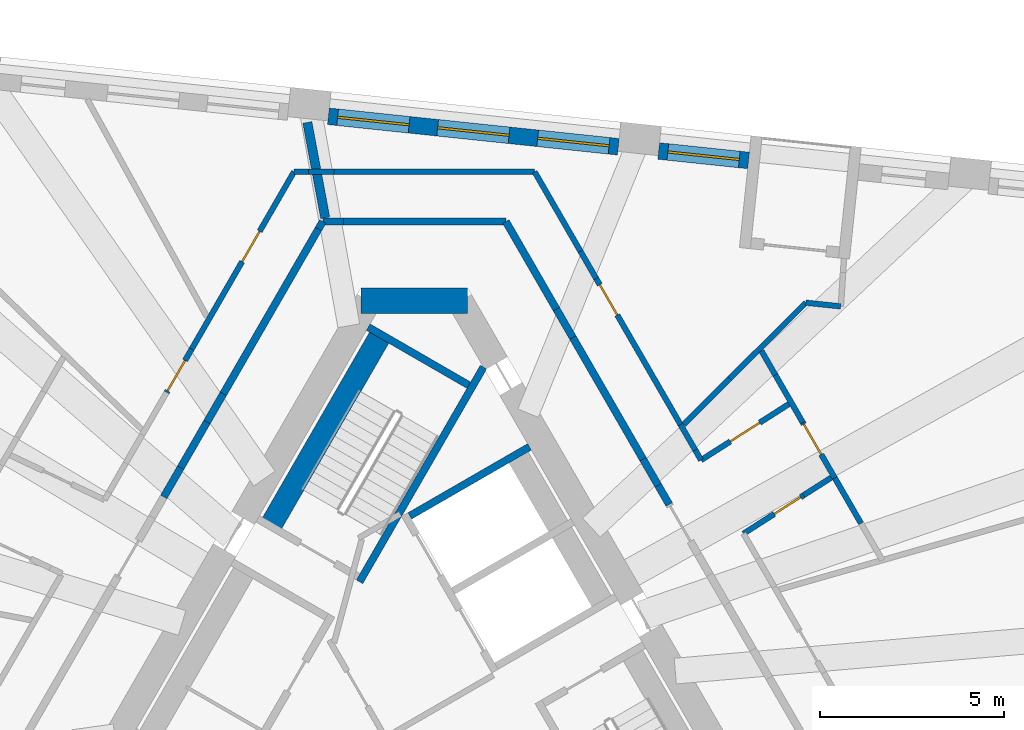
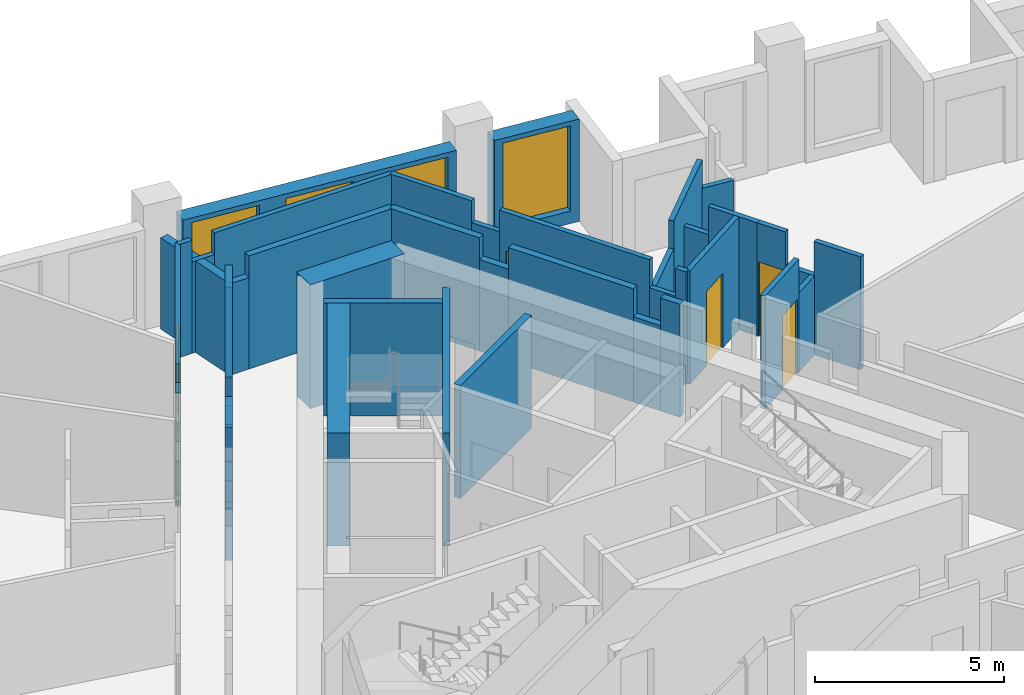
# One storey, part 7 of 11: 40 walls, 6 doors, 4 windows, 10 openings.
"""IFC4 building model written with IfcOpenShell, lengths in metres."""

from ifc_helpers import new_model, si_unit, direction, frame, frame_2d, origin, place, context, subcontext, project, spatial, polyline, rectangle, outline, extrude, material, layer, layer_set, type_object, element, fill, save


model = new_model("IFC4")

# Units and contexts
model_context = context("Model", 3, precision=1e-05, world=origin(), true_north=direction((0.0, 1.0)))
body_context = subcontext(model_context, "Body", "Model", "MODEL_VIEW")
ifc_project = project(units=[si_unit("LENGTHUNIT", "METRE"), si_unit("AREAUNIT", "SQUARE_METRE"), si_unit("VOLUMEUNIT", "CUBIC_METRE"), si_unit("PLANEANGLEUNIT", "RADIAN"), si_unit("MASSUNIT", "GRAM", prefix="KILO")], contexts=[model_context])

# Site, building, storey
site_placement = place(None, origin())
site = spatial("IfcSite", under=ifc_project, at=site_placement, CompositionType="ELEMENT")
building_placement = place(site_placement, origin())
building = spatial("IfcBuilding", under=site, at=building_placement, Name="Tramontana Tower", CompositionType="ELEMENT")
storey_placement = place(building_placement, frame((0.0, 0.0, 253.199951171875)))
storey = spatial("IfcBuildingStorey", under=building, at=storey_placement, Name="L59", CompositionType="ELEMENT", Elevation=253.199951171875)

# Walls
ifc_material_1 = material(Name="Concrete 70 MPa", Category="concrete")
ifc_layer_1 = layer(ifc_material_1, 0.699951171875)
ifc_layer_set_1 = layer_set([ifc_layer_1], Name="Core wall 700 70 MPa")
wall_type_1 = type_object("IfcWallType", Name="Core wall 700 70 MPa", PredefinedType="SHEAR", material=ifc_layer_set_1)
wall_1_placement = place(storey_placement, frame((1.443359375, 10.64990234375, 0.0), z_axis=(0.0, 0.0, 1.0), x_axis=(-1.0, 0.0, 0.0)))
element("IfcWall", 1, at=wall_1_placement, inside=storey, type_object=wall_type_1, Name="Core wall C0 L59", PredefinedType="SHEAR", context=body_context, shape_type="SweptSolid", body=[
    extrude(rectangle(XDim=2.88671875, YDim=0.699951171875, at=frame_2d((1.443359375, 0.0))), origin(), (0.0, 0.0, 1.0), 4.0),
])
ifc_material_2 = material(Name="Blockwork", Category="masonry")
ifc_layer_2 = layer(ifc_material_2, 0.199951171875)
ifc_layer_set_2 = layer_set([ifc_layer_2], Name="ENTRY WALL 200")
wall_type_2 = type_object("IfcWallType", Name="ENTRY WALL 200", PredefinedType="SOLIDWALL", material=ifc_layer_set_2)
wall_2_placement = place(storey_placement, frame((-6.79541015625, 5.329833984375, 0.0), z_axis=(0.0, 0.0, 1.0), x_axis=(0.499975954304, 0.866039286129, 0.0)))
element("IfcWall", 2, at=wall_2_placement, inside=storey, type_object=wall_type_2, Name="Wall v61-ew3-7", PredefinedType="SOLIDWALL", context=body_context, shape_type="SweptSolid", body=[
    extrude(rectangle(XDim=0.9169921875, YDim=0.199951171875, at=frame_2d((0.45849609375, 0.0))), origin(), (0.0, 0.0, 1.0), 2.550048828125),
])
wall_3_placement = place(storey_placement, frame((-6.3369140625, 6.1240234375, 0.0), z_axis=(0.0, 0.0, 1.0), x_axis=(0.499904796234, 0.866080362727, 0.0)))
element("IfcWall", 3, at=wall_3_placement, inside=storey, type_object=wall_type_2, Name="Wall v61-ew3-8", PredefinedType="SOLIDWALL", context=body_context, shape_type="SweptSolid", body=[
    extrude(rectangle(XDim=1.429443359375, YDim=0.199951171875, at=frame_2d((0.71484375, 0.0))), origin(), (0.0, 0.0, 1.0), 3.650146484375),
])
wall_4_placement = place(storey_placement, frame((-5.622314453125, 7.362060546875, 0.0), z_axis=(0.0, 0.0, 1.0), x_axis=(0.500121072013, 0.86595549154, 0.0)))
element("IfcWall", 4, at=wall_4_placement, inside=storey, type_object=wall_type_2, Name="Wall v61-ew3-9", PredefinedType="SOLIDWALL", context=body_context, shape_type="SweptSolid", body=[
    extrude(rectangle(XDim=0.883544921875, YDim=0.199951171875, at=frame_2d((0.44189453125, 0.0))), origin(), (0.0, 0.0, 1.0), 2.75),
])
wall_5_placement = place(storey_placement, frame((-5.180419921875, 8.127197265625, 0.0), z_axis=(0.0, 0.0, 1.0), x_axis=(0.499995433041, 0.866028040503, 0.0)))
element("IfcWall", 5, at=wall_5_placement, inside=storey, type_object=wall_type_2, Name="Wall v61-ew3-10", PredefinedType="SOLIDWALL", context=body_context, shape_type="SweptSolid", body=[
    extrude(rectangle(XDim=5.1611328125, YDim=0.199951171875, at=frame_2d((2.58056640625, 0.0))), origin(), (0.0, 0.0, 1.0), 3.650146484375),
])
wall_6_placement = place(storey_placement, frame((-2.599853515625, 12.596923828125, 0.0), z_axis=(0.0, 0.0, 1.0), x_axis=(0.49972245349, 0.866185586049, 0.0)))
element("IfcWall", 6, at=wall_6_placement, inside=storey, type_object=wall_type_2, Name="Wall v61-ew3-11", PredefinedType="SOLIDWALL", context=body_context, shape_type="SweptSolid", body=[
    extrude(rectangle(XDim=0.234619140625, YDim=0.199951171875, at=frame_2d((0.1171875, 0.0))), origin(), (0.0, 0.0, 1.0), 2.949951171875),
])
wall_7_placement = place(storey_placement, frame((-2.482666015625, 12.800048828125, 0.0), z_axis=(0.0, 0.0, 1.0), x_axis=(1.0, 0.0, 0.0)))
element("IfcWall", 7, at=wall_7_placement, inside=storey, type_object=wall_type_2, Name="Wall v61-ew4-0", PredefinedType="SOLIDWALL", context=body_context, shape_type="SweptSolid", body=[
    extrude(rectangle(XDim=0.5576171875, YDim=0.199951171875, at=frame_2d((0.27880859375, 0.0))), origin(), (0.0, 0.0, 1.0), 2.949951171875),
])
wall_8_placement = place(storey_placement, frame((-1.925048828125, 12.800048828125, 0.0), z_axis=(0.0, 0.0, 1.0), x_axis=(1.0, 0.0, 0.0)))
element("IfcWall", 8, at=wall_8_placement, inside=storey, type_object=wall_type_2, Name="Wall v61-ew4-1", PredefinedType="SOLIDWALL", context=body_context, shape_type="SweptSolid", body=[
    extrude(rectangle(XDim=4.40771484375, YDim=0.199951171875, at=frame_2d((2.203857421875, 0.0))), origin(), (0.0, 0.0, 1.0), 3.650146484375),
])
wall_9_placement = place(storey_placement, frame((2.482666015625, 12.800048828125, 0.0), z_axis=(0.0, 0.0, 1.0), x_axis=(0.499956000529, -0.8660508054, 0.0)))
element("IfcWall", 9, at=wall_9_placement, inside=storey, type_object=wall_type_2, Name="Wall v61-ew5-0", PredefinedType="SOLIDWALL", context=body_context, shape_type="SweptSolid", body=[
    extrude(rectangle(XDim=2.744873046875, YDim=0.199951171875, at=frame_2d((1.37255859375, 0.0))), origin(), (0.0, 0.0, 1.0), 3.650146484375),
])
wall_10_placement = place(storey_placement, frame((3.85498046875, 10.4228515625, 0.0), z_axis=(0.0, 0.0, 1.0), x_axis=(0.500135429527, -0.86594719939, 0.0)))
element("IfcWall", 10, at=wall_10_placement, inside=storey, type_object=wall_type_2, Name="Wall v61-ew5-1", PredefinedType="SOLIDWALL", context=body_context, shape_type="SweptSolid", body=[
    extrude(rectangle(XDim=0.886962890625, YDim=0.199951171875, at=frame_2d((0.443359375, 0.0))), origin(), (0.0, 0.0, 1.0), 2.949951171875),
])
wall_11_placement = place(storey_placement, frame((4.298583984375, 9.65478515625, 0.0), z_axis=(0.0, 0.0, 1.0), x_axis=(0.499997905474, -0.866026613056, 0.0)))
element("IfcWall", 11, at=wall_11_placement, inside=storey, type_object=wall_type_2, Name="Wall v61-ew5-2", PredefinedType="SOLIDWALL", context=body_context, shape_type="SweptSolid", body=[
    extrude(rectangle(XDim=3.810546875, YDim=0.199951171875, at=frame_2d((1.9052734375, 0.0))), origin(), (0.0, 0.0, 1.0), 3.650146484375),
])
wall_12_placement = place(storey_placement, frame((6.203857421875, 6.354736328125, 0.0), z_axis=(0.0, 0.0, 1.0), x_axis=(0.499911126926, -0.866076708598, 0.0)))
element("IfcWall", 12, at=wall_12_placement, inside=storey, type_object=wall_type_2, Name="Wall v61-ew5-3", PredefinedType="SOLIDWALL", context=body_context, shape_type="SweptSolid", body=[
    extrude(rectangle(XDim=0.821533203125, YDim=0.199951171875, at=frame_2d((0.41064453125, 0.0))), origin(), (0.0, 0.0, 1.0), 2.75),
])
wall_13_placement = place(storey_placement, frame((6.614501953125, 5.643310546875, 0.0), z_axis=(0.0, 0.0, 1.0), x_axis=(0.500169019818, -0.865927798153, 0.0)))
element("IfcWall", 13, at=wall_13_placement, inside=storey, type_object=wall_type_2, Name="Wall v61-ew5-4", PredefinedType="SOLIDWALL", context=body_context, shape_type="SweptSolid", body=[
    extrude(rectangle(XDim=0.599365234375, YDim=0.199951171875, at=frame_2d((0.2998046875, 0.0))), origin(), (0.0, 0.0, 1.0), 3.650146484375),
])

# Wall, opening, window
ifc_material_3 = material(Name="Precast concrete 60 MPa", Category="concrete")
ifc_layer_3 = layer(ifc_material_3, 0.449951171875)
ifc_layer_set_3 = layer_set([ifc_layer_3], Name="Precast concrete 60 MPa, 450 mm")
wall_type_3 = type_object("IfcWallType", Name="EW1 Stone-faced precast wall 450", PredefinedType="SOLIDWALL", material=ifc_layer_set_3)
wall_14_placement = place(storey_placement, frame((9.06640625, 14.45654296875, 0.0), z_axis=(0.0, 0.0, 1.0), x_axis=(-0.994521805438, 0.10452931889, 0.0)))
wall_14 = element("IfcWall", 14, at=wall_14_placement, inside=storey, type_object=wall_type_3, Name="External wall L59 face 2 bay 2", PredefinedType="SOLIDWALL", context=body_context, shape_type="SweptSolid", body=[
    extrude(rectangle(XDim=2.452392578125, YDim=0.449951171875, at=frame_2d((1.22607421875, 0.0))), origin(), (0.0, 0.0, 1.0), 3.300048828125),
])
opening_1_placement = place(wall_14_placement, frame((0.251220703125, 0.0, 0.39990234375)))
opening_1 = element("IfcOpeningElement", 15, at=opening_1_placement, cuts=wall_14, Name="Opening M3", PredefinedType="OPENING", context=body_context, shape_type="SweptSolid", body=[
    extrude(rectangle(XDim=1.949951171875, YDim=2.75, at=frame_2d((0.97509765625, 1.375))), frame((0.0, 0.23486328125, 0.0), z_axis=(0.0, -1.0, 0.0), x_axis=(1.0, 0.0, 0.0)), (0.0, 0.0, 1.0), 0.469970703125),
])
ifc_material_4 = material(Name="Aluminum frame, double glazing unit", Category="aluminium")
window_type = type_object("IfcWindowType", Name="M3 Window 1.95 x 2.75", PartitioningType="SINGLE_PANEL", PredefinedType="WINDOW", material=ifc_material_4)
window_1_placement = place(opening_1_placement, origin())
window_1 = element("IfcWindow", 16, at=window_1_placement, inside=storey, type_object=window_type, Name="Window M3 L59 face 2 module 6", OverallHeight=2.75, OverallWidth=1.949951171875, PartitioningType="SINGLE_PANEL", PredefinedType="WINDOW", context=body_context, shape_type="SweptSolid", body=[
    extrude(rectangle(XDim=1.949951171875, YDim=2.75, at=frame_2d((0.97509765625, 1.375))), frame((0.0, 0.030029296875, 0.0), z_axis=(0.0, -1.0, 0.0), x_axis=(1.0, 0.0, 0.0)), (0.0, 0.0, 1.0), 0.06005859375),
])
fill(opening_1, window_1)

# Wall, openings, windows
wall_15_placement = place(storey_placement, frame((5.53369140625, 14.827880859375, 0.0), z_axis=(0.0, 0.0, 1.0), x_axis=(-0.994522865711, 0.104519230663, 0.0)))
wall_15 = element("IfcWall", 17, at=wall_15_placement, inside=storey, type_object=wall_type_3, Name="External wall L59 face 2 bay 3", PredefinedType="SOLIDWALL", context=body_context, shape_type="SweptSolid", body=[
    extrude(rectangle(XDim=7.90673828125, YDim=0.449951171875, at=frame_2d((3.953369140625, 0.0))), origin(), (0.0, 0.0, 1.0), 3.300048828125),
])
opening_2_placement = place(wall_15_placement, frame((0.251220703125, 0.0, 0.39990234375)))
opening_2 = element("IfcOpeningElement", 18, at=opening_2_placement, cuts=wall_15, Name="Opening M3", PredefinedType="OPENING", context=body_context, shape_type="SweptSolid", body=[
    extrude(rectangle(XDim=1.949951171875, YDim=2.75, at=frame_2d((0.97509765625, 1.375))), frame((0.0, 0.23486328125, 0.0), z_axis=(0.0, -1.0, 0.0), x_axis=(1.0, 0.0, 0.0)), (0.0, 0.0, 1.0), 0.469970703125),
])
opening_3_placement = place(wall_15_placement, frame((2.978271484375, 0.0, 0.39990234375)))
opening_3 = element("IfcOpeningElement", 19, at=opening_3_placement, cuts=wall_15, Name="Opening M3", PredefinedType="OPENING", context=body_context, shape_type="SweptSolid", body=[
    extrude(rectangle(XDim=1.949951171875, YDim=2.75, at=frame_2d((0.97509765625, 1.375))), frame((0.0, 0.23486328125, 0.0), z_axis=(0.0, -1.0, 0.0), x_axis=(1.0, 0.0, 0.0)), (0.0, 0.0, 1.0), 0.469970703125),
])
opening_4_placement = place(wall_15_placement, frame((5.70556640625, 0.0, 0.39990234375)))
opening_4 = element("IfcOpeningElement", 20, at=opening_4_placement, cuts=wall_15, Name="Opening M3", PredefinedType="OPENING", context=body_context, shape_type="SweptSolid", body=[
    extrude(rectangle(XDim=1.949951171875, YDim=2.75, at=frame_2d((0.97509765625, 1.375))), frame((0.0, 0.23486328125, 0.0), z_axis=(0.0, -1.0, 0.0), x_axis=(1.0, 0.0, 0.0)), (0.0, 0.0, 1.0), 0.469970703125),
])
window_2_placement = place(opening_2_placement, origin())
window_2 = element("IfcWindow", 21, at=window_2_placement, inside=storey, type_object=window_type, Name="Window M3 L59 face 2 module 7", OverallHeight=2.75, OverallWidth=1.949951171875, PartitioningType="SINGLE_PANEL", PredefinedType="WINDOW", context=body_context, shape_type="SweptSolid", body=[
    extrude(rectangle(XDim=1.949951171875, YDim=2.75, at=frame_2d((0.97509765625, 1.375))), frame((0.0, 0.030029296875, 0.0), z_axis=(0.0, -1.0, 0.0), x_axis=(1.0, 0.0, 0.0)), (0.0, 0.0, 1.0), 0.06005859375),
])
fill(opening_2, window_2)
window_3_placement = place(opening_3_placement, origin())
window_3 = element("IfcWindow", 22, at=window_3_placement, inside=storey, type_object=window_type, Name="Window M3 L59 face 2 module 8", OverallHeight=2.75, OverallWidth=1.949951171875, PartitioningType="SINGLE_PANEL", PredefinedType="WINDOW", context=body_context, shape_type="SweptSolid", body=[
    extrude(rectangle(XDim=1.949951171875, YDim=2.75, at=frame_2d((0.97509765625, 1.375))), frame((0.0, 0.030029296875, 0.0), z_axis=(0.0, -1.0, 0.0), x_axis=(1.0, 0.0, 0.0)), (0.0, 0.0, 1.0), 0.06005859375),
])
fill(opening_3, window_3)
window_4_placement = place(opening_4_placement, origin())
window_4 = element("IfcWindow", 23, at=window_4_placement, inside=storey, type_object=window_type, Name="Window M3 L59 face 2 module 9", OverallHeight=2.75, OverallWidth=1.949951171875, PartitioningType="SINGLE_PANEL", PredefinedType="WINDOW", context=body_context, shape_type="SweptSolid", body=[
    extrude(rectangle(XDim=1.949951171875, YDim=2.75, at=frame_2d((0.97509765625, 1.375))), frame((0.0, 0.030029296875, 0.0), z_axis=(0.0, -1.0, 0.0), x_axis=(1.0, 0.0, 0.0)), (0.0, 0.0, 1.0), 0.06005859375),
])
fill(opening_4, window_4)

# Wall, opening, door
ifc_material_5 = material(Name="Gypsum board partition")
ifc_layer_4 = layer(ifc_material_5, 0.14990234375)
ifc_layer_set_4 = layer_set([ifc_layer_4], Name="PARTITION 150")
wall_type_4 = type_object("IfcWallType", Name="PARTITION 150", PredefinedType="PARTITIONING", material=ifc_layer_set_4)
wall_16_placement = place(storey_placement, frame((-6.717041015625, 8.16552734375, 0.0), z_axis=(0.0, 0.0, 1.0), x_axis=(0.499941024108, 0.866059450854, 0.0)))
wall_16 = element("IfcWall", 24, at=wall_16_placement, inside=storey, type_object=wall_type_4, Name="Wall v61-pw09-4", PredefinedType="PARTITIONING", context=body_context, shape_type="SweptSolid", body=[
    extrude(outline(polyline([(0.0, 0.0), (1.353759765625, 0.0), (1.353759765625, 2.75), (0.497802734375, 2.75), (0.497802734375, 3.650146484375), (0.0, 3.650146484375), (0.0, 0.0)])), frame((0.0, 0.074951171875, 0.0), z_axis=(0.0, -1.0, 0.0), x_axis=(1.0, 0.0, 0.0)), (0.0, 0.0, 1.0), 0.14990234375),
])
opening_5_placement = place(wall_16_placement, frame((0.050048828125, 0.0, 0.0)))
opening_5 = element("IfcOpeningElement", 25, at=opening_5_placement, cuts=wall_16, Name="Opening B6B-04", PredefinedType="OPENING", context=body_context, shape_type="SweptSolid", body=[
    extrude(rectangle(XDim=0.949951171875, YDim=2.39990234375, at=frame_2d((0.47509765625, 1.199951171875))), frame((0.0, 0.0849609375, 0.0), z_axis=(0.0, -1.0, 0.0), x_axis=(1.0, 0.0, 0.0)), (0.0, 0.0, 1.0), 0.169921875),
])
ifc_material_6 = material(Name="Painted timber", Category="wood")
door_type_1 = type_object("IfcDoorType", Name="DOOR ROOM 950", OperationType="SINGLE_SWING_LEFT", PredefinedType="DOOR", material=ifc_material_6)
door_1_placement = place(opening_5_placement, origin())
door_1 = element("IfcDoor", 26, at=door_1_placement, inside=storey, type_object=door_type_1, Name="Door B6B-04", OperationType="SINGLE_SWING_RIGHT", OverallHeight=2.39990234375, OverallWidth=0.949951171875, PredefinedType="DOOR", context=body_context, shape_type="SweptSolid", body=[
    extrude(rectangle(XDim=0.949951171875, YDim=2.39990234375, at=frame_2d((0.47509765625, 1.199951171875))), frame((0.0, 0.02490234375, 0.0), z_axis=(0.0, -1.0, 0.0), x_axis=(1.0, 0.0, 0.0)), (0.0, 0.0, 1.0), 0.050048828125),
])
fill(opening_5, door_1)

wall_17_placement = place(storey_placement, frame((-6.040283203125, 9.337890625, 0.0), z_axis=(0.0, 0.0, 1.0), x_axis=(0.500014044516, 0.866017295027, 0.0)))
wall_17 = element("IfcWall", 27, at=wall_17_placement, inside=storey, type_object=wall_type_4, Name="Wall v61-pw09-5", PredefinedType="PARTITIONING", context=body_context, shape_type="SweptSolid", body=[
    extrude(rectangle(XDim=5.556396484375, YDim=0.14990234375, at=frame_2d((2.7783203125, 0.0))), origin(), (0.0, 0.0, 1.0), 3.650146484375),
])
opening_6_placement = place(wall_17_placement, frame((2.7421875, 0.0, 0.0)))
opening_6 = element("IfcOpeningElement", 28, at=opening_6_placement, cuts=wall_17, Name="Opening B6B-05", PredefinedType="OPENING", context=body_context, shape_type="SweptSolid", body=[
    extrude(rectangle(XDim=0.949951171875, YDim=2.39990234375, at=frame_2d((0.47509765625, 1.199951171875))), frame((0.0, 0.0849609375, 0.0), z_axis=(0.0, -1.0, 0.0), x_axis=(1.0, 0.0, 0.0)), (0.0, 0.0, 1.0), 0.169921875),
])
door_2_placement = place(opening_6_placement, origin())
door_2 = element("IfcDoor", 29, at=door_2_placement, inside=storey, type_object=door_type_1, Name="Door B6B-05", OperationType="SINGLE_SWING_LEFT", OverallHeight=2.39990234375, OverallWidth=0.949951171875, PredefinedType="DOOR", context=body_context, shape_type="SweptSolid", body=[
    extrude(rectangle(XDim=0.949951171875, YDim=2.39990234375, at=frame_2d((0.47509765625, 1.199951171875))), frame((0.0, 0.02490234375, 0.0), z_axis=(0.0, -1.0, 0.0), x_axis=(1.0, 0.0, 0.0)), (0.0, 0.0, 1.0), 0.050048828125),
])
fill(opening_6, door_2)

# Walls
wall_18_placement = place(storey_placement, frame((-3.261962890625, 14.14990234375, 0.0), z_axis=(0.0, 0.0, 1.0), x_axis=(1.0, 0.0, 0.0)))
element("IfcWall", 30, at=wall_18_placement, inside=storey, type_object=wall_type_4, Name="Wall v61-pw15-0", PredefinedType="PARTITIONING", context=body_context, shape_type="SweptSolid", body=[
    extrude(rectangle(XDim=0.398193359375, YDim=0.14990234375, at=frame_2d((0.19921875, 0.0))), origin(), (0.0, 0.0, 1.0), 3.650146484375),
])
wall_19_placement = place(storey_placement, frame((-2.86376953125, 14.14990234375, 0.0), z_axis=(0.0, 0.0, 1.0), x_axis=(1.0, 0.0, 0.0)))
element("IfcWall", 31, at=wall_19_placement, inside=storey, type_object=wall_type_4, Name="Wall v61-pw15-1", PredefinedType="PARTITIONING", context=body_context, shape_type="SweptSolid", body=[
    extrude(rectangle(XDim=0.685546875, YDim=0.14990234375, at=frame_2d((0.3427734375, 0.0))), origin(), (0.0, 0.0, 1.0), 2.949951171875),
])
wall_20_placement = place(storey_placement, frame((-2.17822265625, 14.14990234375, 0.0), z_axis=(0.0, 0.0, 1.0), x_axis=(1.0, 0.0, 0.0)))
element("IfcWall", 32, at=wall_20_placement, inside=storey, type_object=wall_type_4, Name="Wall v61-pw15-2", PredefinedType="PARTITIONING", context=body_context, shape_type="SweptSolid", body=[
    extrude(rectangle(XDim=5.440185546875, YDim=0.14990234375, at=frame_2d((2.72021484375, 0.0))), origin(), (0.0, 0.0, 1.0), 3.650146484375),
])
wall_21_placement = place(storey_placement, frame((3.261962890625, 14.14990234375, 0.0), z_axis=(0.0, 0.0, 1.0), x_axis=(0.500042260233, -0.866001003452, 0.0)))
element("IfcWall", 33, at=wall_21_placement, inside=storey, type_object=wall_type_4, Name="Wall v61-pw19-0", PredefinedType="PARTITIONING", context=body_context, shape_type="SweptSolid", body=[
    extrude(rectangle(XDim=2.489013671875, YDim=0.14990234375, at=frame_2d((1.24462890625, 0.0))), origin(), (0.0, 0.0, 1.0), 3.650146484375),
])
wall_22_placement = place(storey_placement, frame((4.506591796875, 11.994384765625, 0.0), z_axis=(0.0, 0.0, 1.0), x_axis=(0.499944768143, -0.866057289563, 0.0)))
element("IfcWall", 34, at=wall_22_placement, inside=storey, type_object=wall_type_4, Name="Wall v61-pw19-1", PredefinedType="PARTITIONING", context=body_context, shape_type="SweptSolid", body=[
    extrude(rectangle(XDim=0.85546875, YDim=0.14990234375, at=frame_2d((0.427734375, 0.0))), origin(), (0.0, 0.0, 1.0), 2.949951171875),
])

# Wall, opening, door
wall_23_placement = place(storey_placement, frame((4.934326171875, 11.25341796875, 0.0), z_axis=(0.0, 0.0, 1.0), x_axis=(0.500001111708, -0.866024761939, 0.0)))
wall_23 = element("IfcWall", 35, at=wall_23_placement, inside=storey, type_object=wall_type_4, Name="Wall v61-pw19-2", PredefinedType="PARTITIONING", context=body_context, shape_type="SweptSolid", body=[
    extrude(rectangle(XDim=4.57568359375, YDim=0.14990234375, at=frame_2d((2.287841796875, 0.0))), origin(), (0.0, 0.0, 1.0), 3.650146484375),
])
opening_7_placement = place(wall_23_placement, frame((0.1923828125, 0.0, 0.0)))
opening_7 = element("IfcOpeningElement", 36, at=opening_7_placement, cuts=wall_23, Name="Opening B6B-19", PredefinedType="OPENING", context=body_context, shape_type="SweptSolid", body=[
    extrude(rectangle(XDim=0.949951171875, YDim=2.39990234375, at=frame_2d((0.47509765625, 1.199951171875))), frame((0.0, 0.0849609375, 0.0), z_axis=(0.0, -1.0, 0.0), x_axis=(1.0, 0.0, 0.0)), (0.0, 0.0, 1.0), 0.169921875),
])
door_3_placement = place(opening_7_placement, origin())
door_3 = element("IfcDoor", 37, at=door_3_placement, inside=storey, type_object=door_type_1, Name="Door B6B-19", OperationType="SINGLE_SWING_LEFT", OverallHeight=2.39990234375, OverallWidth=0.949951171875, PredefinedType="DOOR", context=body_context, shape_type="SweptSolid", body=[
    extrude(rectangle(XDim=0.949951171875, YDim=2.39990234375, at=frame_2d((0.47509765625, 1.199951171875))), frame((0.0, 0.02490234375, 0.0), z_axis=(0.0, -1.0, 0.0), x_axis=(1.0, 0.0, 0.0)), (0.0, 0.0, 1.0), 0.050048828125),
])
fill(opening_7, door_3)

# Walls
wall_24_placement = place(storey_placement, frame((7.22216796875, 7.290771484375, 0.0), z_axis=(0.0, 0.0, 1.0), x_axis=(0.500032254052, -0.866006781098, 0.0)))
element("IfcWall", 38, at=wall_24_placement, inside=storey, type_object=wall_type_4, Name="Wall v61-pw19-3", PredefinedType="PARTITIONING", context=body_context, shape_type="SweptSolid", body=[
    extrude(rectangle(XDim=0.7958984375, YDim=0.14990234375, at=frame_2d((0.39794921875, 0.0))), origin(), (0.0, 0.0, 1.0), 2.75),
])
wall_25_placement = place(storey_placement, frame((7.6201171875, 6.6015625, 0.0), z_axis=(0.0, 0.0, 1.0), x_axis=(0.500303403544, -0.865850162789, 0.0)))
element("IfcWall", 39, at=wall_25_placement, inside=storey, type_object=wall_type_4, Name="Wall v61-pw19-4", PredefinedType="PARTITIONING", context=body_context, shape_type="SweptSolid", body=[
    extrude(rectangle(XDim=0.315185546875, YDim=0.14990234375, at=frame_2d((0.15771484375, 0.0))), origin(), (0.0, 0.0, 1.0), 3.650146484375),
])
wall_26_placement = place(storey_placement, frame((7.307373046875, 7.293212890625, 0.0), z_axis=(0.0, 0.0, 1.0), x_axis=(0.707867966079, 0.706344776011, 0.0)))
element("IfcWall", 40, at=wall_26_placement, inside=storey, type_object=wall_type_4, Name="Wall v61-pw22-0", PredefinedType="PARTITIONING", context=body_context, shape_type="SweptSolid", body=[
    extrude(rectangle(XDim=1.76318359375, YDim=0.14990234375, at=frame_2d((0.881591796875, 0.0))), origin(), (0.0, 0.0, 1.0), 2.75),
])
wall_27_placement = place(storey_placement, frame((8.555419921875, 8.53857421875, 0.0), z_axis=(0.0, 0.0, 1.0), x_axis=(0.707776468702, 0.706436458821, 0.0)))
element("IfcWall", 41, at=wall_27_placement, inside=storey, type_object=wall_type_4, Name="Wall v61-pw22-1", PredefinedType="PARTITIONING", context=body_context, shape_type="SweptSolid", body=[
    extrude(rectangle(XDim=2.9150390625, YDim=0.14990234375, at=frame_2d((1.45751953125, 0.0))), origin(), (0.0, 0.0, 1.0), 3.650146484375),
])

# Wall, opening, door
wall_28_placement = place(storey_placement, frame((7.77783203125, 6.32861328125, 0.0), z_axis=(0.0, 0.0, 1.0), x_axis=(0.842949702155, 0.53799237879, 0.0)))
wall_28 = element("IfcWall", 42, at=wall_28_placement, inside=storey, type_object=wall_type_4, Name="Wall v61-pw23", PredefinedType="PARTITIONING", context=body_context, shape_type="SweptSolid", body=[
    extrude(rectangle(XDim=2.82763671875, YDim=0.14990234375, at=frame_2d((1.413818359375, 0.0))), origin(), (0.0, 0.0, 1.0), 3.650146484375),
])
opening_8_placement = place(wall_28_placement, frame((0.93896484375, 0.0, 0.0)))
opening_8 = element("IfcOpeningElement", 43, at=opening_8_placement, cuts=wall_28, Name="Opening B6B-14", PredefinedType="OPENING", context=body_context, shape_type="SweptSolid", body=[
    extrude(rectangle(XDim=0.949951171875, YDim=2.39990234375, at=frame_2d((0.47509765625, 1.199951171875))), frame((0.0, 0.0849609375, 0.0), z_axis=(0.0, -1.0, 0.0), x_axis=(1.0, 0.0, 0.0)), (0.0, 0.0, 1.0), 0.169921875),
])
door_4_placement = place(opening_8_placement, origin())
door_4 = element("IfcDoor", 44, at=door_4_placement, inside=storey, type_object=door_type_1, Name="Door B6B-14", OperationType="SINGLE_SWING_RIGHT", OverallHeight=2.39990234375, OverallWidth=0.949951171875, PredefinedType="DOOR", context=body_context, shape_type="SweptSolid", body=[
    extrude(rectangle(XDim=0.949951171875, YDim=2.39990234375, at=frame_2d((0.47509765625, 1.199951171875))), frame((0.0, 0.02490234375, 0.0), z_axis=(0.0, -1.0, 0.0), x_axis=(1.0, 0.0, 0.0)), (0.0, 0.0, 1.0), 0.050048828125),
])
fill(opening_8, door_4)

# Walls
wall_29_placement = place(storey_placement, frame((9.415771484375, 9.291259765625, 0.0), z_axis=(0.0, 0.0, 1.0), x_axis=(0.500132351176, -0.865948977311, 0.0)))
element("IfcWall", 45, at=wall_29_placement, inside=storey, type_object=wall_type_4, Name="Wall v61-pw25-0", PredefinedType="PARTITIONING", context=body_context, shape_type="SweptSolid", body=[
    extrude(rectangle(XDim=0.756103515625, YDim=0.14990234375, at=frame_2d((0.3779296875, 0.0))), origin(), (0.0, 0.0, 1.0), 2.75),
])
wall_30_placement = place(storey_placement, frame((9.7939453125, 8.636474609375, 0.0), z_axis=(0.0, 0.0, 1.0), x_axis=(0.500039709243, -0.866002476428, 0.0)))
element("IfcWall", 46, at=wall_30_placement, inside=storey, type_object=wall_type_4, Name="Wall v61-pw25-1", PredefinedType="PARTITIONING", context=body_context, shape_type="SweptSolid", body=[
    extrude(rectangle(XDim=1.48779296875, YDim=0.14990234375, at=frame_2d((0.743896484375, 0.0))), origin(), (0.0, 0.0, 1.0), 3.650146484375),
])

# Wall, opening, door
wall_31_placement = place(storey_placement, frame((10.537841796875, 7.34814453125, 0.0), z_axis=(0.0, 0.0, 1.0), x_axis=(0.499893013529, -0.866087163642, 0.0)))
wall_31 = element("IfcWall", 47, at=wall_31_placement, inside=storey, type_object=wall_type_4, Name="Wall v61-pw25-2", PredefinedType="PARTITIONING", context=body_context, shape_type="SweptSolid", body=[
    extrude(outline(polyline([(0.0, 0.0), (1.73486328125, 0.0), (1.734619140625, 2.550048828125), (0.859619140625, 2.550048828125), (0.859619140625, 3.650146484375), (0.0, 3.650146484375), (0.0, 0.0)])), frame((0.0, 0.074951171875, 0.0), z_axis=(0.0, -1.0, 0.0), x_axis=(1.0, 0.0, 0.0)), (0.0, 0.0, 1.0), 0.14990234375),
])
opening_9_placement = place(wall_31_placement, frame((0.050048828125, 0.0, 0.0)))
opening_9 = element("IfcOpeningElement", 48, at=opening_9_placement, cuts=wall_31, Name="Opening B6B-16", PredefinedType="OPENING", context=body_context, shape_type="SweptSolid", body=[
    extrude(rectangle(XDim=0.949951171875, YDim=2.39990234375, at=frame_2d((0.47509765625, 1.199951171875))), frame((0.0, 0.0849609375, 0.0), z_axis=(0.0, -1.0, 0.0), x_axis=(1.0, 0.0, 0.0)), (0.0, 0.0, 1.0), 0.169921875),
])
door_5_placement = place(opening_9_placement, origin())
door_5 = element("IfcDoor", 49, at=door_5_placement, inside=storey, type_object=door_type_1, Name="Door B6B-16", OperationType="SINGLE_SWING_RIGHT", OverallHeight=2.39990234375, OverallWidth=0.949951171875, PredefinedType="DOOR", context=body_context, shape_type="SweptSolid", body=[
    extrude(rectangle(XDim=0.949951171875, YDim=2.39990234375, at=frame_2d((0.47509765625, 1.199951171875))), frame((0.0, 0.02490234375, 0.0), z_axis=(0.0, -1.0, 0.0), x_axis=(1.0, 0.0, 0.0)), (0.0, 0.0, 1.0), 0.050048828125),
])
fill(opening_9, door_5)

# Walls
wall_32_placement = place(storey_placement, frame((11.405029296875, 5.845703125, 0.0), z_axis=(0.0, 0.0, 1.0), x_axis=(0.500103350459, -0.865965726146, 0.0)))
element("IfcWall", 50, at=wall_32_placement, inside=storey, type_object=wall_type_4, Name="Wall v61-pw25-3", PredefinedType="PARTITIONING", context=body_context, shape_type="SweptSolid", body=[
    extrude(rectangle(XDim=1.424072265625, YDim=0.14990234375, at=frame_2d((0.7119140625, 0.0))), origin(), (0.0, 0.0, 1.0), 3.650146484375),
])
wall_33_placement = place(storey_placement, frame((10.618896484375, 10.597900390625, 0.0), z_axis=(0.0, 0.0, 1.0), x_axis=(0.994522285292, -0.104524753323, 0.0)))
element("IfcWall", 51, at=wall_33_placement, inside=storey, type_object=wall_type_4, Name="Wall v61-pw30-0", PredefinedType="PARTITIONING", context=body_context, shape_type="SweptSolid", body=[
    extrude(rectangle(XDim=0.952880859375, YDim=0.14990234375, at=frame_2d((0.4765625, 0.0))), origin(), (0.0, 0.0, 1.0), 2.75),
])
wall_34_placement = place(storey_placement, frame((11.3125, 5.856201171875, 0.0), z_axis=(0.0, 0.0, 1.0), x_axis=(-0.842909065223, -0.538056045189, 0.0)))
element("IfcWall", 52, at=wall_34_placement, inside=storey, type_object=wall_type_4, Name="Wall v61-pw35-0", PredefinedType="PARTITIONING", context=body_context, shape_type="SweptSolid", body=[
    extrude(rectangle(XDim=0.896240234375, YDim=0.14990234375, at=frame_2d((0.4482421875, 0.0))), origin(), (0.0, 0.0, 1.0), 2.550048828125),
])

# Wall, opening, door
wall_35_placement = place(storey_placement, frame((10.55712890625, 5.3740234375, 0.0), z_axis=(0.0, 0.0, 1.0), x_axis=(-0.842911232895, -0.538052649338, 0.0)))
wall_35 = element("IfcWall", 53, at=wall_35_placement, inside=storey, type_object=wall_type_4, Name="Wall v61-pw35-1", PredefinedType="PARTITIONING", context=body_context, shape_type="SweptSolid", body=[
    extrude(rectangle(XDim=1.931640625, YDim=0.14990234375, at=frame_2d((0.9658203125, 0.0))), origin(), (0.0, 0.0, 1.0), 3.650146484375),
])
opening_10_placement = place(wall_35_placement, frame((0.092529296875, 0.0, 0.0)))
opening_10 = element("IfcOpeningElement", 54, at=opening_10_placement, cuts=wall_35, Name="Opening B6B-15", PredefinedType="OPENING", context=body_context, shape_type="SweptSolid", body=[
    extrude(rectangle(XDim=0.85009765625, YDim=2.39990234375, at=frame_2d((0.425048828125, 1.199951171875))), frame((0.0, 0.0849609375, 0.0), z_axis=(0.0, -1.0, 0.0), x_axis=(1.0, 0.0, 0.0)), (0.0, 0.0, 1.0), 0.169921875),
])
ifc_material_7 = material(Name="Painted timber", Category="wood")
door_type_2 = type_object("IfcDoorType", Name="DOOR BATH 850", OperationType="SINGLE_SWING_LEFT", PredefinedType="DOOR", material=ifc_material_7)
door_6_placement = place(opening_10_placement, origin())
door_6 = element("IfcDoor", 55, at=door_6_placement, inside=storey, type_object=door_type_2, Name="Door B6B-15", OperationType="SINGLE_SWING_LEFT", OverallHeight=2.39990234375, OverallWidth=0.85009765625, PredefinedType="DOOR", context=body_context, shape_type="SweptSolid", body=[
    extrude(rectangle(XDim=0.85009765625, YDim=2.39990234375, at=frame_2d((0.425048828125, 1.199951171875))), frame((0.0, 0.02490234375, 0.0), z_axis=(0.0, -1.0, 0.0), x_axis=(1.0, 0.0, 0.0)), (0.0, 0.0, 1.0), 0.050048828125),
])
fill(opening_10, door_6)

# Walls
ifc_material_8 = material(Name="Blockwork", Category="masonry")
ifc_layer_5 = layer(ifc_material_8, 0.25)
ifc_layer_set_5 = layer_set([ifc_layer_5], Name="PARTY WALL 250")
wall_type_5 = type_object("IfcWallType", Name="PARTY WALL 250", PredefinedType="SOLIDWALL", material=ifc_layer_set_5)
wall_36_placement = place(storey_placement, frame((-2.900390625, 15.488037109375, 0.0), z_axis=(0.0, 0.0, 1.0), x_axis=(0.184047809229, -0.982917292511, 0.0)))
element("IfcWall", 56, at=wall_36_placement, inside=storey, type_object=wall_type_5, Name="Wall v61-pw16-0", PredefinedType="SOLIDWALL", context=body_context, shape_type="SweptSolid", body=[
    extrude(rectangle(XDim=2.633056640625, YDim=0.25, at=frame_2d((1.31640625, 0.0))), origin(), (0.0, 0.0, 1.0), 2.949951171875),
])
ifc_material_9 = material(Name="Concrete 70 MPa", Category="concrete")
ifc_layer_6 = layer(ifc_material_9, 0.60009765625)
ifc_layer_set_6 = layer_set([ifc_layer_6], Name="Concrete 70 MPa, 600 mm")
wall_type_6 = type_object("IfcWallType", Name="RC SHAFT BACK WALL 600", PredefinedType="SOLIDWALL", material=ifc_layer_set_6)
wall_37_placement = place(storey_placement, frame((-0.85302734375, 9.822509765625, 0.0), z_axis=(0.0, 0.0, 1.0), x_axis=(-0.500009909098, -0.866019682689, 0.0)))
element("IfcWall", 57, at=wall_37_placement, inside=storey, type_object=wall_type_6, Name="Wall st1-back", PredefinedType="SOLIDWALL", context=body_context, shape_type="SweptSolid", body=[
    extrude(rectangle(XDim=6.199951171875, YDim=0.60009765625, at=frame_2d((3.10009765625, 0.0))), origin(), (0.0, 0.0, 1.0), 3.650146484375),
])
ifc_material_10 = material(Name="Concrete 70 MPa", Category="concrete")
ifc_layer_7 = layer(ifc_material_10, 0.199951171875)
ifc_layer_set_7 = layer_set([ifc_layer_7], Name="Concrete 70 MPa, 200 mm")
wall_type_7 = type_object("IfcWallType", Name="RC STAIR AND SHAFT WALL 200", PredefinedType="SOLIDWALL", material=ifc_layer_set_7)
wall_38_placement = place(storey_placement, frame((1.87646484375, 8.85009765625, 0.0), z_axis=(0.0, 0.0, 1.0), x_axis=(-0.499998042495, -0.866026533947, 0.0)))
element("IfcWall", 58, at=wall_38_placement, inside=storey, type_object=wall_type_7, Name="Wall st1-front", PredefinedType="SOLIDWALL", context=body_context, shape_type="SweptSolid", body=[
    extrude(rectangle(XDim=6.72265625, YDim=0.199951171875, at=frame_2d((3.361328125, 0.0))), origin(), (0.0, 0.0, 1.0), 3.650146484375),
])
wall_39_placement = place(storey_placement, frame((1.478515625, 8.36083984375, 0.0), z_axis=(0.0, 0.0, 1.0), x_axis=(-0.866035871367, 0.499981869177, 0.0)))
element("IfcWall", 59, at=wall_39_placement, inside=storey, type_object=wall_type_7, Name="Wall st1-far", PredefinedType="SOLIDWALL", context=body_context, shape_type="SweptSolid", body=[
    extrude(rectangle(XDim=3.14990234375, YDim=0.199951171875, at=frame_2d((1.574951171875, 0.0))), origin(), (0.0, 0.0, 1.0), 3.650146484375),
])
wall_40_placement = place(storey_placement, frame((-0.123046875, 4.813232421875, 0.0), z_axis=(0.0, 0.0, 1.0), x_axis=(0.866022959057, 0.500004234368, 0.0)))
element("IfcWall", 60, at=wall_40_placement, inside=storey, type_object=wall_type_7, Name="Wall row2-side2", PredefinedType="SOLIDWALL", context=body_context, shape_type="SweptSolid", body=[
    extrude(rectangle(XDim=3.75, YDim=0.199951171875, at=frame_2d((1.875, 0.0))), origin(), (0.0, 0.0, 1.0), 3.650146484375),
])

save(model, "model.ifc")
